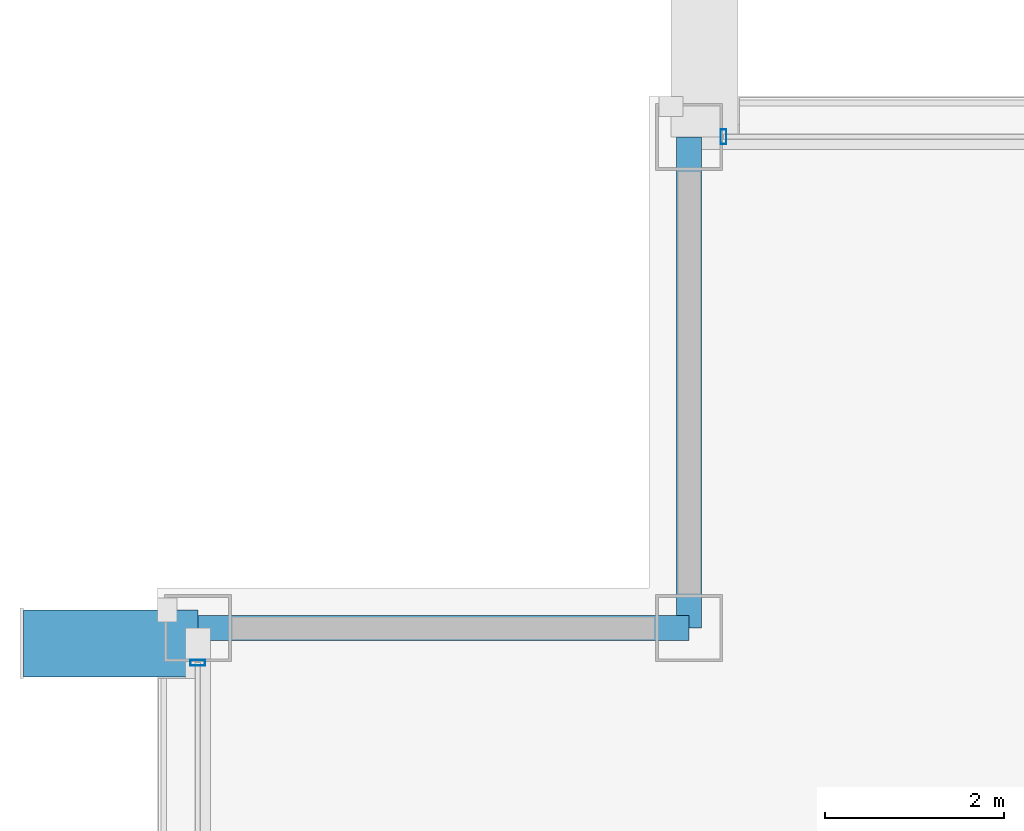
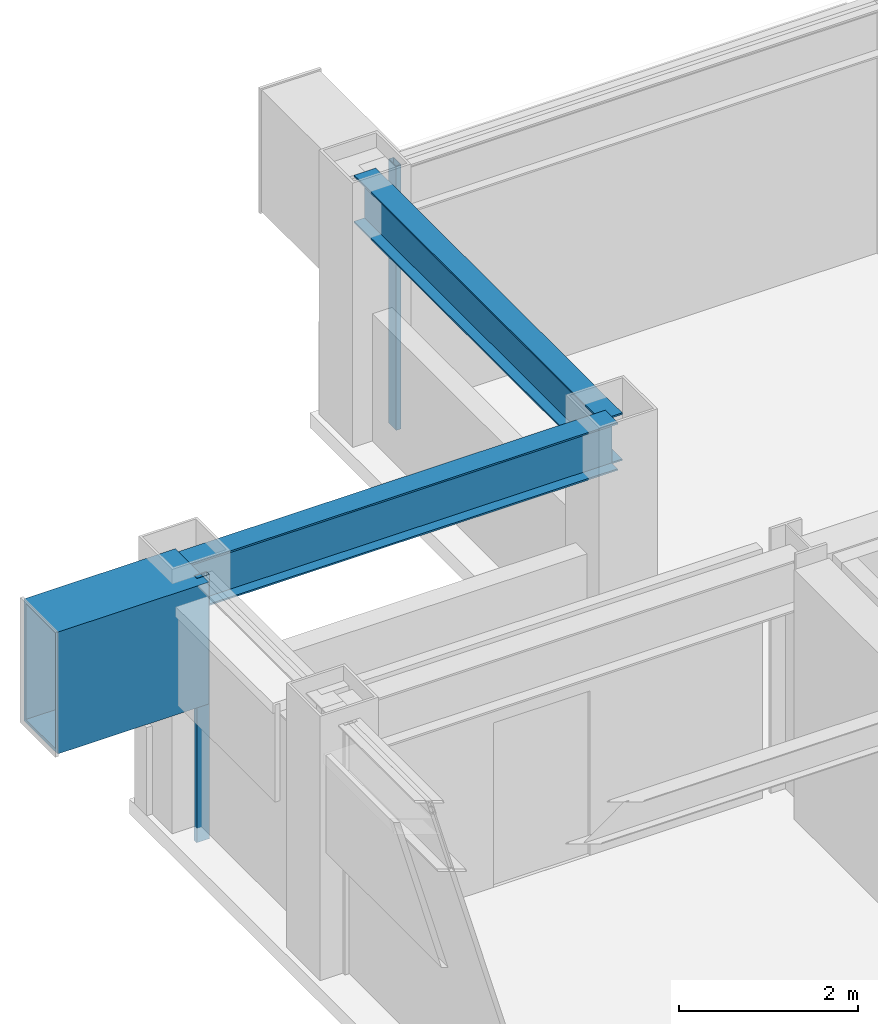
# One storey, part 18 of 28: 3 beams, 2 members, 2 elements without a shape of their own.
"""IFC4 building model written with IfcOpenShell, lengths in metres."""

from ifc_helpers import new_model, si_unit, direction, frame, origin, origin_2d, place, context, subcontext, project, spatial, hollow_rectangle, i_section, extrude, material, layer, layer_set, material_profile, profile_set, type_object, element, aggregate, save


model = new_model("IFC4")

# Units and contexts
model_context = context("Model", 3, precision=1e-05, world=origin(), true_north=direction((0.0, 1.0)))
body_context = subcontext(model_context, "Body", "Model", "MODEL_VIEW")
ifc_project = project(units=[si_unit("LENGTHUNIT", "METRE"), si_unit("AREAUNIT", "SQUARE_METRE"), si_unit("VOLUMEUNIT", "CUBIC_METRE"), si_unit("PLANEANGLEUNIT", "RADIAN"), si_unit("MASSUNIT", "GRAM", prefix="KILO")], contexts=[model_context])

# Site, building, storey
site_placement = place(None, origin())
site = spatial("IfcSite", under=ifc_project, at=site_placement, CompositionType="ELEMENT")
building_placement = place(site_placement, origin())
building = spatial("IfcBuilding", under=site, at=building_placement, Name="Brelmoor Portico Tower", CompositionType="ELEMENT")
storey_placement = place(building_placement, frame((0.0, 0.0, 155.10009765625)))
storey = spatial("IfcBuildingStorey", under=building, at=storey_placement, Name="L40", CompositionType="ELEMENT", Elevation=155.10009765625)

# Beams
ifc_material_1 = material(Name="Steel Q355B", Category="steel")
ifc_material_profile_1 = material_profile(ifc_material_1, hollow_rectangle(XDim=0.75, YDim=1.659912109375, WallThickness=0.0419921875, at=origin_2d()), Name="BOX 750x1660x42")
ifc_profile_set_1 = profile_set([ifc_material_profile_1], Name="Steel Q355B")
beam_type_1 = type_object("IfcBeamType", Name="BM-PF-CANT", PredefinedType="BEAM", material=ifc_profile_set_1)
beam_placement = place(storey_placement, frame((-22.5, 12.8798828125, 2.56982421875), z_axis=(1.0, 0.0, 0.0), x_axis=(0.0, 1.0, 0.0)))
element("IfcBeam", 1, at=beam_placement, inside=storey, type_object=beam_type_1, Name="L40 Picture-Frame Outrigger Transfer Cantilever PFB-06", PredefinedType="BEAM", context=body_context, shape_type="SweptSolid", body=[
    extrude(hollow_rectangle(XDim=0.75, YDim=1.659912109375, WallThickness=0.0419921875, at=origin_2d()), origin(), (0.0, 0.0, 1.0), 1.949951171875),
])
ifc_material_profile_2 = material_profile(ifc_material_1, i_section(OverallWidth=0.280029296875, OverallDepth=0.64990234375, WebThickness=0.012939453125, FlangeThickness=0.02197265625, at=origin_2d()), Name="HN 650x280x13x22")
ifc_profile_set_2 = profile_set([ifc_material_profile_2], Name="Steel Q355B")
beam_type_2 = type_object("IfcBeamType", Name="BM-SP-650", PredefinedType="SPANDREL", material=ifc_profile_set_2)
for number, where, z_axis, x_axis, name in (
    (2, (-20.550048828125, 13.050048828125, 3.074951171875), (1.0, 0.0, 0.0), (0.0, 1.0, 0.0), "L40 Perimeter Spandrel Beam SP-06"),
    (3, (-15.050048828125, 13.050048828125, 3.074951171875), (0.0, 1.0, 0.0), (-1.0, 0.0, 0.0), "L40 Perimeter Spandrel Beam SP-15"),
):
    element("IfcBeam", number, at=place(storey_placement, frame(where, z_axis=z_axis, x_axis=x_axis)), inside=storey, type_object=beam_type_2, Name=name, PredefinedType="SPANDREL", context=body_context, shape_type="SweptSolid", body=[
        extrude(i_section(OverallWidth=0.280029296875, OverallDepth=0.64990234375, WebThickness=0.012939453125, FlangeThickness=0.02197265625, at=origin_2d()), origin(), (0.0, 0.0, 1.0), 5.5),
    ])

# Curtain wall, member
ifc_material_2 = material(Name="Anodised Aluminium Alloy 6063-T6", Category="aluminium")
ifc_layer = layer(ifc_material_2, 0.179931640625)
ifc_layer_set = layer_set([ifc_layer], Name="Anodised Aluminium Alloy 6063-T6")
curtain_wall_type = type_object("IfcCurtainWallType", Name="CW-TOWER-Z3-XB", PredefinedType="NOTDEFINED", material=ifc_layer_set)
curtain_wall_1_placement = place(storey_placement, origin())
curtain_wall_1 = element("IfcCurtainWall", 4, at=curtain_wall_1_placement, inside=storey, type_object=curtain_wall_type, Name="L40 Curtain Wall CW-L40-02-1", PredefinedType="NOTDEFINED")
ifc_material_profile_3 = material_profile(ifc_material_2, hollow_rectangle(XDim=0.06494140625, YDim=0.1650390625, WallThickness=0.00390625, at=origin_2d()), Name="ALU MULLION 65x165")
ifc_profile_set_3 = profile_set([ifc_material_profile_3], Name="Anodised Aluminium Alloy 6063-T6")
member_type = type_object("IfcMemberType", Name="MB-CW-MULL-165", PredefinedType="MULLION", material=ifc_profile_set_3)
member_1_placement = place(storey_placement, frame((-14.6650390625, 18.550048828125, -0.2001953125), z_axis=(0.0, 0.0, 1.0), x_axis=(1.0, 0.0, 0.0)))
member_1 = element("IfcMember", 5, at=member_1_placement, type_object=member_type, Name="CW-L40-02-1 Mullion 00", PredefinedType="MULLION", context=body_context, shape_type="SweptSolid", body=[
    extrude(hollow_rectangle(XDim=0.06494140625, YDim=0.1650390625, WallThickness=0.00390625, at=origin_2d()), origin(), (0.0, 0.0, 1.0), 3.60009765625),
])
aggregate(curtain_wall_1, [member_1])

curtain_wall_2_placement = place(storey_placement, origin())
curtain_wall_2 = element("IfcCurtainWall", 6, at=curtain_wall_2_placement, inside=storey, type_object=curtain_wall_type, Name="L40 Curtain Wall CW-L40-03-3", PredefinedType="NOTDEFINED")
member_2_placement = place(storey_placement, frame((-20.550048828125, 12.6650390625, -0.2001953125), z_axis=(0.0, 0.0, 1.0), x_axis=(0.0, 1.0, 0.0)))
member_2 = element("IfcMember", 7, at=member_2_placement, type_object=member_type, Name="CW-L40-03-3 Mullion 01", PredefinedType="MULLION", context=body_context, shape_type="SweptSolid", body=[
    extrude(hollow_rectangle(XDim=0.06494140625, YDim=0.1650390625, WallThickness=0.00390625, at=origin_2d()), origin(), (0.0, 0.0, 1.0), 3.60009765625),
])
aggregate(curtain_wall_2, [member_2])

save(model, "model.ifc")
